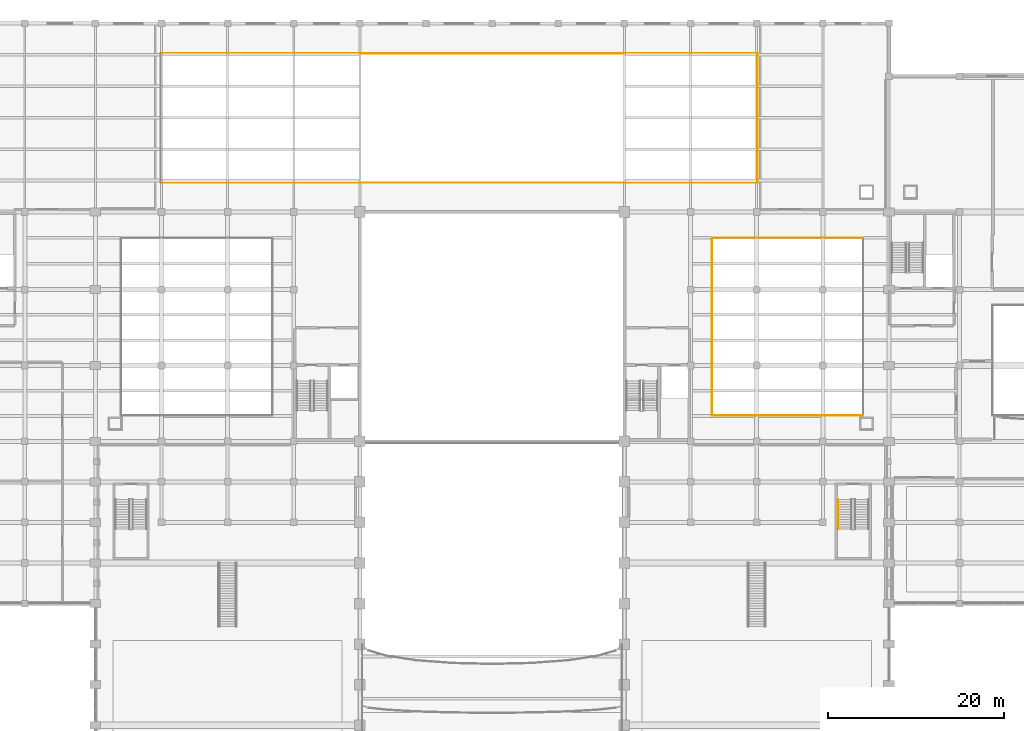
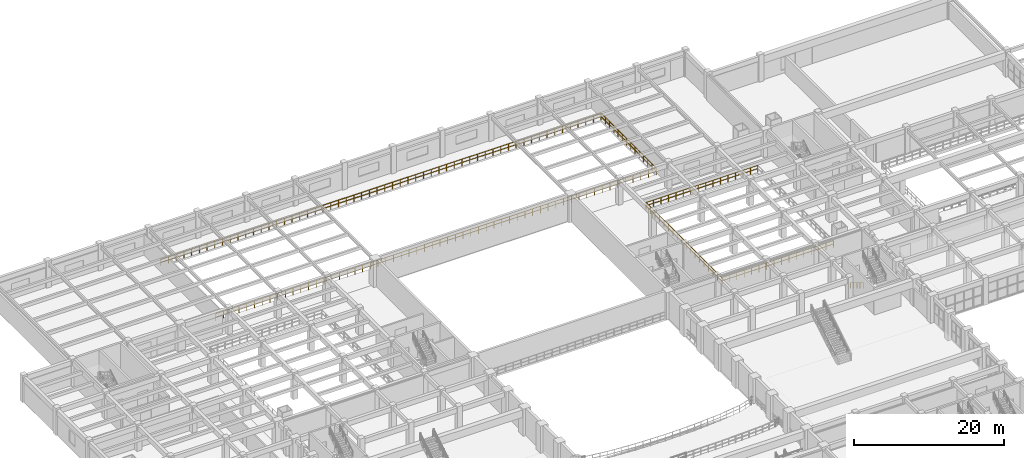
# One storey, part 113 of 116: 7 railings.
"""IFC4 building model written with IfcOpenShell, lengths in metres."""

import ifcopenshell
import ifcopenshell.guid

model = None  # the IFC model being written
_history = None  # IfcOwnerHistory: only IFC2X3 demands one
_inside = {}  # id of a spatial element -> (the spatial element, [elements in it])
_under = {}  # id of a project, library or spatial element -> (it, [spatial elements below it])
_declared = {}  # id of a project -> (the project, [libraries it declares])
_typed = {}  # id of a type object -> (the type object, [elements of that type])
_made_of = {}  # id of a material, layer set ... -> (it, [elements and type objects made of it])


def new_model(schema):
    """Start an empty IFC model of exactly this schema.

    Asked for "IFC4X3", IfcOpenShell would pick the latest addendum, in which some entities
    have other attributes; the version numbers below select the first issue.
    IFC2X3 requires an IfcOwnerHistory on every rooted entity: one is made here for all.
    """
    global model, _history
    if schema == "IFC4X3":
        model = ifcopenshell.file(schema_version=(4, 3, 0, 0))
    else:
        model = ifcopenshell.file(schema=schema)
    _inside.clear()
    _under.clear()
    _declared.clear()
    _typed.clear()
    _made_of.clear()
    _history = None
    if model.schema == "IFC2X3":
        org = make("IfcOrganization", Name="unknown")
        user = make(
            "IfcPersonAndOrganization",
            ThePerson=make("IfcPerson", FamilyName="unknown"),
            TheOrganization=org,
        )
        app = make(
            "IfcApplication",
            ApplicationDeveloper=org,
            Version="unknown",
            ApplicationFullName="unknown",
            ApplicationIdentifier="unknown",
        )
        _history = make(
            "IfcOwnerHistory",
            OwningUser=user,
            OwningApplication=app,
            ChangeAction="ADDED",
            CreationDate=0,
        )
    return model


def make(cls, **values):
    """One entity of the class cls with the attributes given. An attribute that is None is left unset."""
    return model.create_entity(
        cls, **{name: value for name, value in values.items() if value is not None}
    )


def rooted(cls, **values):
    """An entity with a GlobalId (a new one), such as an element, a storey or a relation."""
    return make(cls, GlobalId=ifcopenshell.guid.new(), OwnerHistory=_history, **values)


def si_unit(unit_type, name, prefix=None):
    """IfcSIUnit, for example si_unit("LENGTHUNIT", "METRE", prefix="MILLI")."""
    return make("IfcSIUnit", UnitType=unit_type, Prefix=prefix, Name=name)


def assignment(units):
    """IfcUnitAssignment: the units of a project."""
    return None if units is None else make("IfcUnitAssignment", Units=units)


def point(xyz):
    """IfcCartesianPoint."""
    return None if xyz is None else make("IfcCartesianPoint", Coordinates=xyz)


def direction(xyz):
    """IfcDirection."""
    return None if xyz is None else make("IfcDirection", DirectionRatios=xyz)


def frame(location, z_axis=None, x_axis=None):
    """IfcAxis2Placement3D, a coordinate frame: its origin and axes. An axis left out is left unset."""
    return make(
        "IfcAxis2Placement3D",
        Location=point(location),
        Axis=direction(z_axis),
        RefDirection=direction(x_axis),
    )


def frame_2d(location, x_axis=None):
    """IfcAxis2Placement2D, a coordinate frame in the plane: its origin and x axis."""
    return make(
        "IfcAxis2Placement2D", Location=point(location), RefDirection=direction(x_axis)
    )


def origin():
    """The frame at (0, 0, 0) with its axes left unset."""
    return frame((0.0, 0.0, 0.0))


def origin_2d():
    """The frame at (0, 0) in the plane with its x axis left unset."""
    return frame_2d((0.0, 0.0))


def place(relative_to, where):
    """IfcLocalPlacement: puts the frame where relative to a parent placement (None: the world)."""
    return make(
        "IfcLocalPlacement", PlacementRelTo=relative_to, RelativePlacement=where
    )


def context(
    kind, dimensions, precision=None, world=None, true_north=None, identifier=None
):
    """IfcGeometricRepresentationContext, for example the 3D "Model" context."""
    return make(
        "IfcGeometricRepresentationContext",
        ContextIdentifier=identifier,
        ContextType=kind,
        CoordinateSpaceDimension=dimensions,
        Precision=precision,
        WorldCoordinateSystem=world,
        TrueNorth=true_north,
    )


def subcontext(parent, identifier, kind, view, scale=None):
    """IfcGeometricRepresentationSubContext, for example "Body" below "Model"."""
    return make(
        "IfcGeometricRepresentationSubContext",
        ContextIdentifier=identifier,
        ContextType=kind,
        ParentContext=parent,
        TargetScale=scale,
        TargetView=view,
    )


def project(units=None, contexts=None):
    """IfcProject with its units and contexts."""
    return rooted(
        "IfcProject",
        Name="project",
        RepresentationContexts=contexts,
        UnitsInContext=assignment(units),
    )


def spatial(cls, under=None, at=None, **own):
    """A site, building, storey or space (cls), placed at a placement, below another one or the project."""
    s = rooted(cls, ObjectPlacement=at, **own)
    if under is not None:
        _under.setdefault(under.id(), (under, []))[1].append(s)
    return s


def profile(cls, at=None, kind="AREA", **sizes):
    """A parametric profile (cls). Its sizes go by their IFC names, for example OverallWidth=200.0."""
    return make(cls, ProfileType=kind, Position=at, **sizes)


def circle(**sizes):
    """IfcCircleProfileDef."""
    return profile("IfcCircleProfileDef", **sizes)


def extrude(swept, where, along, depth):
    """IfcExtrudedAreaSolid: the profile swept, set in the frame where, extruded along a direction by depth."""
    return make(
        "IfcExtrudedAreaSolid",
        SweptArea=swept,
        Position=where,
        ExtrudedDirection=direction(along),
        Depth=depth,
    )


def shape(context_of_items, identifier, shape_type, items):
    """IfcShapeRepresentation: the items that make up one representation, for example the "Body"."""
    return make(
        "IfcShapeRepresentation",
        ContextOfItems=context_of_items,
        RepresentationIdentifier=identifier,
        RepresentationType=shape_type,
        Items=items,
    )


def material(Name=None, Category=None):
    """IfcMaterial."""
    return make("IfcMaterial", Name=Name, Category=Category)


def made_of(thing, what):
    """Note that an element or type object is made of a material, layer set ...; save() writes the relation."""
    if what is not None:
        _made_of.setdefault(what.id(), (what, []))[1].append(thing)
    return thing


def type_object(cls, material=None, **own):
    """A type object (cls), such as IfcWallType, which elements share."""
    return made_of(rooted(cls, **own), material)


def element(
    cls,
    number,
    at=None,
    inside=None,
    cuts=None,
    type_object=None,
    material=None,
    context=None,
    identifier="Body",
    shape_type=None,
    held_by="IfcProductDefinitionShape",
    body=None,
    shapes=None,
    **own,
):
    """One element of the class cls, such as IfcWall. Its Tag is "e" and its number.

    at: its placement. inside: the storey or other place that contains it. cuts: it is an
    opening in that element (IfcRelVoidsElement). A single representation is given by context,
    identifier, shape_type and body (its items); several are given by shapes. held_by: the class
    of the entity that holds the representations. save() writes the other relations.
    """
    e = rooted(cls, Tag="e%d" % number, ObjectPlacement=at, **own)
    if body is not None:
        shapes = [shape(context, identifier, shape_type, body)]
    if shapes is not None:
        e.Representation = make(held_by, Representations=shapes)
    if inside is not None:
        _inside.setdefault(inside.id(), (inside, []))[1].append(e)
    if cuts is not None:
        rooted(
            "IfcRelVoidsElement", RelatingBuildingElement=cuts, RelatedOpeningElement=e
        )
    if type_object is not None:
        _typed.setdefault(type_object.id(), (type_object, []))[1].append(e)
    return made_of(e, material)


def aggregate(whole, parts):
    """IfcRelAggregates: a whole, such as a stair, and the parts it consists of."""
    return rooted("IfcRelAggregates", RelatingObject=whole, RelatedObjects=parts)


def save(model, path):
    """Write the relations noted so far, then the file.

    IfcRelAggregates (storeys below a building ...), IfcRelContainedInSpatialStructure (elements
    in a storey), IfcRelDefinesByType, IfcRelAssociatesMaterial and IfcRelDeclares: one each for
    every whole, place, type object, material and project.
    """
    for whole, parts in _under.values():
        aggregate(whole, parts)
    for where, things in _inside.values():
        rooted(
            "IfcRelContainedInSpatialStructure",
            RelatedElements=things,
            RelatingStructure=where,
        )
    for kind, things in _typed.values():
        rooted("IfcRelDefinesByType", RelatedObjects=things, RelatingType=kind)
    for what, things in _made_of.values():
        rooted("IfcRelAssociatesMaterial", RelatedObjects=things, RelatingMaterial=what)
    for by, libraries in _declared.values():
        rooted("IfcRelDeclares", RelatingContext=by, RelatedDefinitions=libraries)
    model.write(path)


model = new_model("IFC4")

# Units and contexts
model_context = context("Model", 3, precision=1e-05, world=origin(), true_north=direction((0.0, 1.0)))
body_context = subcontext(model_context, "Body", "Model", "MODEL_VIEW")
ifc_project = project(units=[si_unit("LENGTHUNIT", "METRE"), si_unit("AREAUNIT", "SQUARE_METRE"), si_unit("VOLUMEUNIT", "CUBIC_METRE"), si_unit("PLANEANGLEUNIT", "RADIAN"), si_unit("MASSUNIT", "GRAM", prefix="KILO")], contexts=[model_context])

# Site, building, storey
site_placement = place(None, origin())
site = spatial("IfcSite", under=ifc_project, at=site_placement, CompositionType="ELEMENT")
building_placement = place(site_placement, origin())
building = spatial("IfcBuilding", under=site, at=building_placement, Name="Muzn Square Opera House", CompositionType="ELEMENT")
storey_placement = place(building_placement, frame((0.0, 0.0, 5.39990234375)))
storey = spatial("IfcBuildingStorey", under=building, at=storey_placement, Name="L01", CompositionType="ELEMENT", Elevation=5.39990234375)

# Railings
ifc_material_1 = material(Name="Architectural bronze mashrabiya", Category="metal")
railing_type_1 = type_object("IfcRailingType", Name="Bronze Protective Balustrade 1120mm", PredefinedType="BALUSTRADE", material=ifc_material_1)
railing_1_placement = place(storey_placement, frame((112.919921875, 75.52001953125, 0.0)))
element("IfcRailing", 1, at=railing_1_placement, inside=storey, type_object=railing_type_1, Name="Void Edge Balustrade L01-0017", PredefinedType="BALUSTRADE", context=body_context, shape_type="SweptSolid", body=[
    extrude(circle(Radius=0.02392578125, at=origin_2d()), frame((0.0, 0.0, 1.09619140625), z_axis=(1.0, 0.0, 0.0), x_axis=(0.0, 1.0, 0.0)), (0.0, 0.0, 1.0), 17.16015625),
    extrude(circle(Radius=0.02392578125, at=origin_2d()), frame((0.0, 0.0, 0.56005859375), z_axis=(1.0, 0.0, 0.0), x_axis=(0.0, 1.0, 0.0)), (0.0, 0.0, 1.0), 17.16015625),
    extrude(circle(Radius=0.02099609375, at=origin_2d()), origin(), (0.0, 0.0, 1.0), 1.072021484375),
    extrude(circle(Radius=0.02099609375, at=origin_2d()), frame((1.14404296875, 0.0, 0.0)), (0.0, 0.0, 1.0), 1.072021484375),
    extrude(circle(Radius=0.02099609375, at=origin_2d()), frame((2.2880859375, 0.0, 0.0)), (0.0, 0.0, 1.0), 1.072021484375),
    extrude(circle(Radius=0.02099609375, at=origin_2d()), frame((3.43212890625, 0.0, 0.0)), (0.0, 0.0, 1.0), 1.072021484375),
    extrude(circle(Radius=0.02099609375, at=origin_2d()), frame((4.575927734375, 0.0, 0.0)), (0.0, 0.0, 1.0), 1.072021484375),
    extrude(circle(Radius=0.02099609375, at=origin_2d()), frame((5.719970703125, 0.0, 0.0)), (0.0, 0.0, 1.0), 1.072021484375),
    extrude(circle(Radius=0.02099609375, at=origin_2d()), frame((6.864013671875, 0.0, 0.0)), (0.0, 0.0, 1.0), 1.072021484375),
    extrude(circle(Radius=0.02099609375, at=origin_2d()), frame((8.008056640625, 0.0, 0.0)), (0.0, 0.0, 1.0), 1.072021484375),
    extrude(circle(Radius=0.02099609375, at=origin_2d()), frame((9.152099609375, 0.0, 0.0)), (0.0, 0.0, 1.0), 1.072021484375),
    extrude(circle(Radius=0.02099609375, at=origin_2d()), frame((10.296142578125, 0.0, 0.0)), (0.0, 0.0, 1.0), 1.072021484375),
    extrude(circle(Radius=0.02099609375, at=origin_2d()), frame((11.440185546875, 0.0, 0.0)), (0.0, 0.0, 1.0), 1.072021484375),
    extrude(circle(Radius=0.02099609375, at=origin_2d()), frame((12.584228515625, 0.0, 0.0)), (0.0, 0.0, 1.0), 1.072021484375),
    extrude(circle(Radius=0.02099609375, at=origin_2d()), frame((13.72802734375, 0.0, 0.0)), (0.0, 0.0, 1.0), 1.072021484375),
    extrude(circle(Radius=0.02099609375, at=origin_2d()), frame((14.8720703125, 0.0, 0.0)), (0.0, 0.0, 1.0), 1.072021484375),
    extrude(circle(Radius=0.02099609375, at=origin_2d()), frame((16.01611328125, 0.0, 0.0)), (0.0, 0.0, 1.0), 1.072021484375),
    extrude(circle(Radius=0.02099609375, at=origin_2d()), frame((17.16015625, 0.0, 0.0)), (0.0, 0.0, 1.0), 1.072021484375),
])
railing_2_placement = place(storey_placement, frame((130.080078125, 95.679931640625, 0.0)))
element("IfcRailing", 2, at=railing_2_placement, inside=storey, type_object=railing_type_1, Name="Void Edge Balustrade L01-0019", PredefinedType="BALUSTRADE", context=body_context, shape_type="SweptSolid", body=[
    extrude(circle(Radius=0.02392578125, at=origin_2d()), frame((0.0, 0.0, 1.09619140625), z_axis=(-1.0, 0.0, 0.0), x_axis=(0.0, -1.0, 0.0)), (0.0, 0.0, 1.0), 17.16015625),
    extrude(circle(Radius=0.02392578125, at=origin_2d()), frame((0.0, 0.0, 0.56005859375), z_axis=(-1.0, 0.0, 0.0), x_axis=(0.0, -1.0, 0.0)), (0.0, 0.0, 1.0), 17.16015625),
    extrude(circle(Radius=0.02099609375, at=origin_2d()), origin(), (0.0, 0.0, 1.0), 1.072021484375),
    extrude(circle(Radius=0.02099609375, at=origin_2d()), frame((-1.14404296875, 0.0, 0.0)), (0.0, 0.0, 1.0), 1.072021484375),
    extrude(circle(Radius=0.02099609375, at=origin_2d()), frame((-2.2880859375, 0.0, 0.0)), (0.0, 0.0, 1.0), 1.072021484375),
    extrude(circle(Radius=0.02099609375, at=origin_2d()), frame((-3.43212890625, 0.0, 0.0)), (0.0, 0.0, 1.0), 1.072021484375),
    extrude(circle(Radius=0.02099609375, at=origin_2d()), frame((-4.575927734375, 0.0, 0.0)), (0.0, 0.0, 1.0), 1.072021484375),
    extrude(circle(Radius=0.02099609375, at=origin_2d()), frame((-5.719970703125, 0.0, 0.0)), (0.0, 0.0, 1.0), 1.072021484375),
    extrude(circle(Radius=0.02099609375, at=origin_2d()), frame((-6.864013671875, 0.0, 0.0)), (0.0, 0.0, 1.0), 1.072021484375),
    extrude(circle(Radius=0.02099609375, at=origin_2d()), frame((-8.008056640625, 0.0, 0.0)), (0.0, 0.0, 1.0), 1.072021484375),
    extrude(circle(Radius=0.02099609375, at=origin_2d()), frame((-9.152099609375, 0.0, 0.0)), (0.0, 0.0, 1.0), 1.072021484375),
    extrude(circle(Radius=0.02099609375, at=origin_2d()), frame((-10.296142578125, 0.0, 0.0)), (0.0, 0.0, 1.0), 1.072021484375),
    extrude(circle(Radius=0.02099609375, at=origin_2d()), frame((-11.440185546875, 0.0, 0.0)), (0.0, 0.0, 1.0), 1.072021484375),
    extrude(circle(Radius=0.02099609375, at=origin_2d()), frame((-12.584228515625, 0.0, 0.0)), (0.0, 0.0, 1.0), 1.072021484375),
    extrude(circle(Radius=0.02099609375, at=origin_2d()), frame((-13.72802734375, 0.0, 0.0)), (0.0, 0.0, 1.0), 1.072021484375),
    extrude(circle(Radius=0.02099609375, at=origin_2d()), frame((-14.8720703125, 0.0, 0.0)), (0.0, 0.0, 1.0), 1.072021484375),
    extrude(circle(Radius=0.02099609375, at=origin_2d()), frame((-16.01611328125, 0.0, 0.0)), (0.0, 0.0, 1.0), 1.072021484375),
    extrude(circle(Radius=0.02099609375, at=origin_2d()), frame((-17.16015625, 0.0, 0.0)), (0.0, 0.0, 1.0), 1.072021484375),
])
railing_3_placement = place(storey_placement, frame((112.919921875, 95.679931640625, 0.0)))
element("IfcRailing", 3, at=railing_3_placement, inside=storey, type_object=railing_type_1, Name="Void Edge Balustrade L01-0020", PredefinedType="BALUSTRADE", context=body_context, shape_type="SweptSolid", body=[
    extrude(circle(Radius=0.02392578125, at=origin_2d()), frame((0.0, 0.0, 1.09619140625), z_axis=(0.0, -1.0, 0.0), x_axis=(1.0, 0.0, 0.0)), (0.0, 0.0, 1.0), 20.159912109375),
    extrude(circle(Radius=0.02392578125, at=origin_2d()), frame((0.0, 0.0, 0.56005859375), z_axis=(0.0, -1.0, 0.0), x_axis=(1.0, 0.0, 0.0)), (0.0, 0.0, 1.0), 20.159912109375),
    extrude(circle(Radius=0.02099609375, at=origin_2d()), origin(), (0.0, 0.0, 1.0), 1.072021484375),
    extrude(circle(Radius=0.02099609375, at=origin_2d()), frame((0.0, -1.185791015625, 0.0)), (0.0, 0.0, 1.0), 1.072021484375),
    extrude(circle(Radius=0.02099609375, at=origin_2d()), frame((0.0, -2.371826171875, 0.0)), (0.0, 0.0, 1.0), 1.072021484375),
    extrude(circle(Radius=0.02099609375, at=origin_2d()), frame((0.0, -3.5576171875, 0.0)), (0.0, 0.0, 1.0), 1.072021484375),
    extrude(circle(Radius=0.02099609375, at=origin_2d()), frame((0.0, -4.743408203125, 0.0)), (0.0, 0.0, 1.0), 1.072021484375),
    extrude(circle(Radius=0.02099609375, at=origin_2d()), frame((0.0, -5.929443359375, 0.0)), (0.0, 0.0, 1.0), 1.072021484375),
    extrude(circle(Radius=0.02099609375, at=origin_2d()), frame((0.0, -7.115234375, 0.0)), (0.0, 0.0, 1.0), 1.072021484375),
    extrude(circle(Radius=0.02099609375, at=origin_2d()), frame((0.0, -8.301025390625, 0.0)), (0.0, 0.0, 1.0), 1.072021484375),
    extrude(circle(Radius=0.02099609375, at=origin_2d()), frame((0.0, -9.487060546875, 0.0)), (0.0, 0.0, 1.0), 1.072021484375),
    extrude(circle(Radius=0.02099609375, at=origin_2d()), frame((0.0, -10.6728515625, 0.0)), (0.0, 0.0, 1.0), 1.072021484375),
    extrude(circle(Radius=0.02099609375, at=origin_2d()), frame((0.0, -11.85888671875, 0.0)), (0.0, 0.0, 1.0), 1.072021484375),
    extrude(circle(Radius=0.02099609375, at=origin_2d()), frame((0.0, -13.044677734375, 0.0)), (0.0, 0.0, 1.0), 1.072021484375),
    extrude(circle(Radius=0.02099609375, at=origin_2d()), frame((0.0, -14.23046875, 0.0)), (0.0, 0.0, 1.0), 1.072021484375),
    extrude(circle(Radius=0.02099609375, at=origin_2d()), frame((0.0, -15.41650390625, 0.0)), (0.0, 0.0, 1.0), 1.072021484375),
    extrude(circle(Radius=0.02099609375, at=origin_2d()), frame((0.0, -16.602294921875, 0.0)), (0.0, 0.0, 1.0), 1.072021484375),
    extrude(circle(Radius=0.02099609375, at=origin_2d()), frame((0.0, -17.7880859375, 0.0)), (0.0, 0.0, 1.0), 1.072021484375),
    extrude(circle(Radius=0.02099609375, at=origin_2d()), frame((0.0, -18.97412109375, 0.0)), (0.0, 0.0, 1.0), 1.072021484375),
    extrude(circle(Radius=0.02099609375, at=origin_2d()), frame((0.0, -20.159912109375, 0.0)), (0.0, 0.0, 1.0), 1.072021484375),
])
railing_4_placement = place(storey_placement, frame((50.419921875, 101.919921875, 0.0)))
element("IfcRailing", 4, at=railing_4_placement, inside=storey, type_object=railing_type_1, Name="Void Edge Balustrade L01-0021", PredefinedType="BALUSTRADE", context=body_context, shape_type="SweptSolid", body=[
    extrude(circle(Radius=0.02392578125, at=origin_2d()), frame((0.0, 0.0, 1.09619140625), z_axis=(1.0, 0.0, 0.0), x_axis=(0.0, 1.0, 0.0)), (0.0, 0.0, 1.0), 67.66015625),
    extrude(circle(Radius=0.02392578125, at=origin_2d()), frame((0.0, 0.0, 0.56005859375), z_axis=(1.0, 0.0, 0.0), x_axis=(0.0, 1.0, 0.0)), (0.0, 0.0, 1.0), 67.66015625),
    extrude(circle(Radius=0.02099609375, at=origin_2d()), origin(), (0.0, 0.0, 1.0), 1.072021484375),
    extrude(circle(Radius=0.02099609375, at=origin_2d()), frame((1.18701171875, 0.0, 0.0)), (0.0, 0.0, 1.0), 1.072021484375),
    extrude(circle(Radius=0.02099609375, at=origin_2d()), frame((2.3740234375, 0.0, 0.0)), (0.0, 0.0, 1.0), 1.072021484375),
    extrude(circle(Radius=0.02099609375, at=origin_2d()), frame((3.56103515625, 0.0, 0.0)), (0.0, 0.0, 1.0), 1.072021484375),
    extrude(circle(Radius=0.02099609375, at=origin_2d()), frame((4.748046875, 0.0, 0.0)), (0.0, 0.0, 1.0), 1.072021484375),
    extrude(circle(Radius=0.02099609375, at=origin_2d()), frame((5.93505859375, 0.0, 0.0)), (0.0, 0.0, 1.0), 1.072021484375),
    extrude(circle(Radius=0.02099609375, at=origin_2d()), frame((7.1220703125, 0.0, 0.0)), (0.0, 0.0, 1.0), 1.072021484375),
    extrude(circle(Radius=0.02099609375, at=origin_2d()), frame((8.30908203125, 0.0, 0.0)), (0.0, 0.0, 1.0), 1.072021484375),
    extrude(circle(Radius=0.02099609375, at=origin_2d()), frame((9.49609375, 0.0, 0.0)), (0.0, 0.0, 1.0), 1.072021484375),
    extrude(circle(Radius=0.02099609375, at=origin_2d()), frame((10.68310546875, 0.0, 0.0)), (0.0, 0.0, 1.0), 1.072021484375),
    extrude(circle(Radius=0.02099609375, at=origin_2d()), frame((11.8701171875, 0.0, 0.0)), (0.0, 0.0, 1.0), 1.072021484375),
    extrude(circle(Radius=0.02099609375, at=origin_2d()), frame((13.05712890625, 0.0, 0.0)), (0.0, 0.0, 1.0), 1.072021484375),
    extrude(circle(Radius=0.02099609375, at=origin_2d()), frame((14.244140625, 0.0, 0.0)), (0.0, 0.0, 1.0), 1.072021484375),
    extrude(circle(Radius=0.02099609375, at=origin_2d()), frame((15.43115234375, 0.0, 0.0)), (0.0, 0.0, 1.0), 1.072021484375),
    extrude(circle(Radius=0.02099609375, at=origin_2d()), frame((16.6181640625, 0.0, 0.0)), (0.0, 0.0, 1.0), 1.072021484375),
    extrude(circle(Radius=0.02099609375, at=origin_2d()), frame((17.805419921875, 0.0, 0.0)), (0.0, 0.0, 1.0), 1.072021484375),
    extrude(circle(Radius=0.02099609375, at=origin_2d()), frame((18.992431640625, 0.0, 0.0)), (0.0, 0.0, 1.0), 1.072021484375),
    extrude(circle(Radius=0.02099609375, at=origin_2d()), frame((20.179443359375, 0.0, 0.0)), (0.0, 0.0, 1.0), 1.072021484375),
    extrude(circle(Radius=0.02099609375, at=origin_2d()), frame((21.366455078125, 0.0, 0.0)), (0.0, 0.0, 1.0), 1.072021484375),
    extrude(circle(Radius=0.02099609375, at=origin_2d()), frame((22.553466796875, 0.0, 0.0)), (0.0, 0.0, 1.0), 1.072021484375),
    extrude(circle(Radius=0.02099609375, at=origin_2d()), frame((23.740478515625, 0.0, 0.0)), (0.0, 0.0, 1.0), 1.072021484375),
    extrude(circle(Radius=0.02099609375, at=origin_2d()), frame((24.927490234375, 0.0, 0.0)), (0.0, 0.0, 1.0), 1.072021484375),
    extrude(circle(Radius=0.02099609375, at=origin_2d()), frame((26.114501953125, 0.0, 0.0)), (0.0, 0.0, 1.0), 1.072021484375),
    extrude(circle(Radius=0.02099609375, at=origin_2d()), frame((27.301513671875, 0.0, 0.0)), (0.0, 0.0, 1.0), 1.072021484375),
    extrude(circle(Radius=0.02099609375, at=origin_2d()), frame((28.488525390625, 0.0, 0.0)), (0.0, 0.0, 1.0), 1.072021484375),
    extrude(circle(Radius=0.02099609375, at=origin_2d()), frame((29.675537109375, 0.0, 0.0)), (0.0, 0.0, 1.0), 1.072021484375),
    extrude(circle(Radius=0.02099609375, at=origin_2d()), frame((30.862548828125, 0.0, 0.0)), (0.0, 0.0, 1.0), 1.072021484375),
    extrude(circle(Radius=0.02099609375, at=origin_2d()), frame((32.049560546875, 0.0, 0.0)), (0.0, 0.0, 1.0), 1.072021484375),
    extrude(circle(Radius=0.02099609375, at=origin_2d()), frame((33.236572265625, 0.0, 0.0)), (0.0, 0.0, 1.0), 1.072021484375),
    extrude(circle(Radius=0.02099609375, at=origin_2d()), frame((34.423583984375, 0.0, 0.0)), (0.0, 0.0, 1.0), 1.072021484375),
    extrude(circle(Radius=0.02099609375, at=origin_2d()), frame((35.610595703125, 0.0, 0.0)), (0.0, 0.0, 1.0), 1.072021484375),
    extrude(circle(Radius=0.02099609375, at=origin_2d()), frame((36.797607421875, 0.0, 0.0)), (0.0, 0.0, 1.0), 1.072021484375),
    extrude(circle(Radius=0.02099609375, at=origin_2d()), frame((37.984619140625, 0.0, 0.0)), (0.0, 0.0, 1.0), 1.072021484375),
    extrude(circle(Radius=0.02099609375, at=origin_2d()), frame((39.171630859375, 0.0, 0.0)), (0.0, 0.0, 1.0), 1.072021484375),
    extrude(circle(Radius=0.02099609375, at=origin_2d()), frame((40.358642578125, 0.0, 0.0)), (0.0, 0.0, 1.0), 1.072021484375),
    extrude(circle(Radius=0.02099609375, at=origin_2d()), frame((41.545654296875, 0.0, 0.0)), (0.0, 0.0, 1.0), 1.072021484375),
    extrude(circle(Radius=0.02099609375, at=origin_2d()), frame((42.732666015625, 0.0, 0.0)), (0.0, 0.0, 1.0), 1.072021484375),
    extrude(circle(Radius=0.02099609375, at=origin_2d()), frame((43.919677734375, 0.0, 0.0)), (0.0, 0.0, 1.0), 1.072021484375),
    extrude(circle(Radius=0.02099609375, at=origin_2d()), frame((45.106689453125, 0.0, 0.0)), (0.0, 0.0, 1.0), 1.072021484375),
    extrude(circle(Radius=0.02099609375, at=origin_2d()), frame((46.293701171875, 0.0, 0.0)), (0.0, 0.0, 1.0), 1.072021484375),
    extrude(circle(Radius=0.02099609375, at=origin_2d()), frame((47.480712890625, 0.0, 0.0)), (0.0, 0.0, 1.0), 1.072021484375),
    extrude(circle(Radius=0.02099609375, at=origin_2d()), frame((48.667724609375, 0.0, 0.0)), (0.0, 0.0, 1.0), 1.072021484375),
    extrude(circle(Radius=0.02099609375, at=origin_2d()), frame((49.854736328125, 0.0, 0.0)), (0.0, 0.0, 1.0), 1.072021484375),
    extrude(circle(Radius=0.02099609375, at=origin_2d()), frame((51.0419921875, 0.0, 0.0)), (0.0, 0.0, 1.0), 1.072021484375),
    extrude(circle(Radius=0.02099609375, at=origin_2d()), frame((52.22900390625, 0.0, 0.0)), (0.0, 0.0, 1.0), 1.072021484375),
    extrude(circle(Radius=0.02099609375, at=origin_2d()), frame((53.416015625, 0.0, 0.0)), (0.0, 0.0, 1.0), 1.072021484375),
    extrude(circle(Radius=0.02099609375, at=origin_2d()), frame((54.60302734375, 0.0, 0.0)), (0.0, 0.0, 1.0), 1.072021484375),
    extrude(circle(Radius=0.02099609375, at=origin_2d()), frame((55.7900390625, 0.0, 0.0)), (0.0, 0.0, 1.0), 1.072021484375),
    extrude(circle(Radius=0.02099609375, at=origin_2d()), frame((56.97705078125, 0.0, 0.0)), (0.0, 0.0, 1.0), 1.072021484375),
    extrude(circle(Radius=0.02099609375, at=origin_2d()), frame((58.1640625, 0.0, 0.0)), (0.0, 0.0, 1.0), 1.072021484375),
    extrude(circle(Radius=0.02099609375, at=origin_2d()), frame((59.35107421875, 0.0, 0.0)), (0.0, 0.0, 1.0), 1.072021484375),
    extrude(circle(Radius=0.02099609375, at=origin_2d()), frame((60.5380859375, 0.0, 0.0)), (0.0, 0.0, 1.0), 1.072021484375),
    extrude(circle(Radius=0.02099609375, at=origin_2d()), frame((61.72509765625, 0.0, 0.0)), (0.0, 0.0, 1.0), 1.072021484375),
    extrude(circle(Radius=0.02099609375, at=origin_2d()), frame((62.912109375, 0.0, 0.0)), (0.0, 0.0, 1.0), 1.072021484375),
    extrude(circle(Radius=0.02099609375, at=origin_2d()), frame((64.09912109375, 0.0, 0.0)), (0.0, 0.0, 1.0), 1.072021484375),
    extrude(circle(Radius=0.02099609375, at=origin_2d()), frame((65.2861328125, 0.0, 0.0)), (0.0, 0.0, 1.0), 1.072021484375),
    extrude(circle(Radius=0.02099609375, at=origin_2d()), frame((66.47314453125, 0.0, 0.0)), (0.0, 0.0, 1.0), 1.072021484375),
    extrude(circle(Radius=0.02099609375, at=origin_2d()), frame((67.66015625, 0.0, 0.0)), (0.0, 0.0, 1.0), 1.072021484375),
])
railing_5_placement = place(storey_placement, frame((118.080078125, 101.919921875, 0.0)))
element("IfcRailing", 5, at=railing_5_placement, inside=storey, type_object=railing_type_1, Name="Void Edge Balustrade L01-0022", PredefinedType="BALUSTRADE", context=body_context, shape_type="SweptSolid", body=[
    extrude(circle(Radius=0.02392578125, at=origin_2d()), frame((0.0, 0.0, 1.09619140625), z_axis=(0.0, 1.0, 0.0), x_axis=(-1.0, 0.0, 0.0)), (0.0, 0.0, 1.0), 14.66015625),
    extrude(circle(Radius=0.02392578125, at=origin_2d()), frame((0.0, 0.0, 0.56005859375), z_axis=(0.0, 1.0, 0.0), x_axis=(-1.0, 0.0, 0.0)), (0.0, 0.0, 1.0), 14.66015625),
    extrude(circle(Radius=0.02099609375, at=origin_2d()), origin(), (0.0, 0.0, 1.0), 1.072021484375),
    extrude(circle(Radius=0.02099609375, at=origin_2d()), frame((0.0, 1.127685546875, 0.0)), (0.0, 0.0, 1.0), 1.072021484375),
    extrude(circle(Radius=0.02099609375, at=origin_2d()), frame((0.0, 2.25537109375, 0.0)), (0.0, 0.0, 1.0), 1.072021484375),
    extrude(circle(Radius=0.02099609375, at=origin_2d()), frame((0.0, 3.383056640625, 0.0)), (0.0, 0.0, 1.0), 1.072021484375),
    extrude(circle(Radius=0.02099609375, at=origin_2d()), frame((0.0, 4.5107421875, 0.0)), (0.0, 0.0, 1.0), 1.072021484375),
    extrude(circle(Radius=0.02099609375, at=origin_2d()), frame((0.0, 5.638427734375, 0.0)), (0.0, 0.0, 1.0), 1.072021484375),
    extrude(circle(Radius=0.02099609375, at=origin_2d()), frame((0.0, 6.76611328125, 0.0)), (0.0, 0.0, 1.0), 1.072021484375),
    extrude(circle(Radius=0.02099609375, at=origin_2d()), frame((0.0, 7.89404296875, 0.0)), (0.0, 0.0, 1.0), 1.072021484375),
    extrude(circle(Radius=0.02099609375, at=origin_2d()), frame((0.0, 9.021728515625, 0.0)), (0.0, 0.0, 1.0), 1.072021484375),
    extrude(circle(Radius=0.02099609375, at=origin_2d()), frame((0.0, 10.1494140625, 0.0)), (0.0, 0.0, 1.0), 1.072021484375),
    extrude(circle(Radius=0.02099609375, at=origin_2d()), frame((0.0, 11.277099609375, 0.0)), (0.0, 0.0, 1.0), 1.072021484375),
    extrude(circle(Radius=0.02099609375, at=origin_2d()), frame((0.0, 12.40478515625, 0.0)), (0.0, 0.0, 1.0), 1.072021484375),
    extrude(circle(Radius=0.02099609375, at=origin_2d()), frame((0.0, 13.532470703125, 0.0)), (0.0, 0.0, 1.0), 1.072021484375),
    extrude(circle(Radius=0.02099609375, at=origin_2d()), frame((0.0, 14.66015625, 0.0)), (0.0, 0.0, 1.0), 1.072021484375),
])
railing_6_placement = place(storey_placement, frame((118.080078125, 116.580078125, 0.0)))
element("IfcRailing", 6, at=railing_6_placement, inside=storey, type_object=railing_type_1, Name="Void Edge Balustrade L01-0023", PredefinedType="BALUSTRADE", context=body_context, shape_type="SweptSolid", body=[
    extrude(circle(Radius=0.02392578125, at=origin_2d()), frame((0.0, 0.0, 1.09619140625), z_axis=(-1.0, 0.0, 0.0), x_axis=(0.0, -1.0, 0.0)), (0.0, 0.0, 1.0), 67.66015625),
    extrude(circle(Radius=0.02392578125, at=origin_2d()), frame((0.0, 0.0, 0.56005859375), z_axis=(-1.0, 0.0, 0.0), x_axis=(0.0, -1.0, 0.0)), (0.0, 0.0, 1.0), 67.66015625),
    extrude(circle(Radius=0.02099609375, at=origin_2d()), origin(), (0.0, 0.0, 1.0), 1.072021484375),
    extrude(circle(Radius=0.02099609375, at=origin_2d()), frame((-1.18701171875, 0.0, 0.0)), (0.0, 0.0, 1.0), 1.072021484375),
    extrude(circle(Radius=0.02099609375, at=origin_2d()), frame((-2.3740234375, 0.0, 0.0)), (0.0, 0.0, 1.0), 1.072021484375),
    extrude(circle(Radius=0.02099609375, at=origin_2d()), frame((-3.56103515625, 0.0, 0.0)), (0.0, 0.0, 1.0), 1.072021484375),
    extrude(circle(Radius=0.02099609375, at=origin_2d()), frame((-4.748046875, 0.0, 0.0)), (0.0, 0.0, 1.0), 1.072021484375),
    extrude(circle(Radius=0.02099609375, at=origin_2d()), frame((-5.93505859375, 0.0, 0.0)), (0.0, 0.0, 1.0), 1.072021484375),
    extrude(circle(Radius=0.02099609375, at=origin_2d()), frame((-7.1220703125, 0.0, 0.0)), (0.0, 0.0, 1.0), 1.072021484375),
    extrude(circle(Radius=0.02099609375, at=origin_2d()), frame((-8.30908203125, 0.0, 0.0)), (0.0, 0.0, 1.0), 1.072021484375),
    extrude(circle(Radius=0.02099609375, at=origin_2d()), frame((-9.49609375, 0.0, 0.0)), (0.0, 0.0, 1.0), 1.072021484375),
    extrude(circle(Radius=0.02099609375, at=origin_2d()), frame((-10.68310546875, 0.0, 0.0)), (0.0, 0.0, 1.0), 1.072021484375),
    extrude(circle(Radius=0.02099609375, at=origin_2d()), frame((-11.8701171875, 0.0, 0.0)), (0.0, 0.0, 1.0), 1.072021484375),
    extrude(circle(Radius=0.02099609375, at=origin_2d()), frame((-13.05712890625, 0.0, 0.0)), (0.0, 0.0, 1.0), 1.072021484375),
    extrude(circle(Radius=0.02099609375, at=origin_2d()), frame((-14.244140625, 0.0, 0.0)), (0.0, 0.0, 1.0), 1.072021484375),
    extrude(circle(Radius=0.02099609375, at=origin_2d()), frame((-15.43115234375, 0.0, 0.0)), (0.0, 0.0, 1.0), 1.072021484375),
    extrude(circle(Radius=0.02099609375, at=origin_2d()), frame((-16.6181640625, 0.0, 0.0)), (0.0, 0.0, 1.0), 1.072021484375),
    extrude(circle(Radius=0.02099609375, at=origin_2d()), frame((-17.805419921875, 0.0, 0.0)), (0.0, 0.0, 1.0), 1.072021484375),
    extrude(circle(Radius=0.02099609375, at=origin_2d()), frame((-18.992431640625, 0.0, 0.0)), (0.0, 0.0, 1.0), 1.072021484375),
    extrude(circle(Radius=0.02099609375, at=origin_2d()), frame((-20.179443359375, 0.0, 0.0)), (0.0, 0.0, 1.0), 1.072021484375),
    extrude(circle(Radius=0.02099609375, at=origin_2d()), frame((-21.366455078125, 0.0, 0.0)), (0.0, 0.0, 1.0), 1.072021484375),
    extrude(circle(Radius=0.02099609375, at=origin_2d()), frame((-22.553466796875, 0.0, 0.0)), (0.0, 0.0, 1.0), 1.072021484375),
    extrude(circle(Radius=0.02099609375, at=origin_2d()), frame((-23.740478515625, 0.0, 0.0)), (0.0, 0.0, 1.0), 1.072021484375),
    extrude(circle(Radius=0.02099609375, at=origin_2d()), frame((-24.927490234375, 0.0, 0.0)), (0.0, 0.0, 1.0), 1.072021484375),
    extrude(circle(Radius=0.02099609375, at=origin_2d()), frame((-26.114501953125, 0.0, 0.0)), (0.0, 0.0, 1.0), 1.072021484375),
    extrude(circle(Radius=0.02099609375, at=origin_2d()), frame((-27.301513671875, 0.0, 0.0)), (0.0, 0.0, 1.0), 1.072021484375),
    extrude(circle(Radius=0.02099609375, at=origin_2d()), frame((-28.488525390625, 0.0, 0.0)), (0.0, 0.0, 1.0), 1.072021484375),
    extrude(circle(Radius=0.02099609375, at=origin_2d()), frame((-29.675537109375, 0.0, 0.0)), (0.0, 0.0, 1.0), 1.072021484375),
    extrude(circle(Radius=0.02099609375, at=origin_2d()), frame((-30.862548828125, 0.0, 0.0)), (0.0, 0.0, 1.0), 1.072021484375),
    extrude(circle(Radius=0.02099609375, at=origin_2d()), frame((-32.049560546875, 0.0, 0.0)), (0.0, 0.0, 1.0), 1.072021484375),
    extrude(circle(Radius=0.02099609375, at=origin_2d()), frame((-33.236572265625, 0.0, 0.0)), (0.0, 0.0, 1.0), 1.072021484375),
    extrude(circle(Radius=0.02099609375, at=origin_2d()), frame((-34.423583984375, 0.0, 0.0)), (0.0, 0.0, 1.0), 1.072021484375),
    extrude(circle(Radius=0.02099609375, at=origin_2d()), frame((-35.610595703125, 0.0, 0.0)), (0.0, 0.0, 1.0), 1.072021484375),
    extrude(circle(Radius=0.02099609375, at=origin_2d()), frame((-36.797607421875, 0.0, 0.0)), (0.0, 0.0, 1.0), 1.072021484375),
    extrude(circle(Radius=0.02099609375, at=origin_2d()), frame((-37.984619140625, 0.0, 0.0)), (0.0, 0.0, 1.0), 1.072021484375),
    extrude(circle(Radius=0.02099609375, at=origin_2d()), frame((-39.171630859375, 0.0, 0.0)), (0.0, 0.0, 1.0), 1.072021484375),
    extrude(circle(Radius=0.02099609375, at=origin_2d()), frame((-40.358642578125, 0.0, 0.0)), (0.0, 0.0, 1.0), 1.072021484375),
    extrude(circle(Radius=0.02099609375, at=origin_2d()), frame((-41.545654296875, 0.0, 0.0)), (0.0, 0.0, 1.0), 1.072021484375),
    extrude(circle(Radius=0.02099609375, at=origin_2d()), frame((-42.732666015625, 0.0, 0.0)), (0.0, 0.0, 1.0), 1.072021484375),
    extrude(circle(Radius=0.02099609375, at=origin_2d()), frame((-43.919677734375, 0.0, 0.0)), (0.0, 0.0, 1.0), 1.072021484375),
    extrude(circle(Radius=0.02099609375, at=origin_2d()), frame((-45.106689453125, 0.0, 0.0)), (0.0, 0.0, 1.0), 1.072021484375),
    extrude(circle(Radius=0.02099609375, at=origin_2d()), frame((-46.293701171875, 0.0, 0.0)), (0.0, 0.0, 1.0), 1.072021484375),
    extrude(circle(Radius=0.02099609375, at=origin_2d()), frame((-47.480712890625, 0.0, 0.0)), (0.0, 0.0, 1.0), 1.072021484375),
    extrude(circle(Radius=0.02099609375, at=origin_2d()), frame((-48.667724609375, 0.0, 0.0)), (0.0, 0.0, 1.0), 1.072021484375),
    extrude(circle(Radius=0.02099609375, at=origin_2d()), frame((-49.854736328125, 0.0, 0.0)), (0.0, 0.0, 1.0), 1.072021484375),
    extrude(circle(Radius=0.02099609375, at=origin_2d()), frame((-51.0419921875, 0.0, 0.0)), (0.0, 0.0, 1.0), 1.072021484375),
    extrude(circle(Radius=0.02099609375, at=origin_2d()), frame((-52.22900390625, 0.0, 0.0)), (0.0, 0.0, 1.0), 1.072021484375),
    extrude(circle(Radius=0.02099609375, at=origin_2d()), frame((-53.416015625, 0.0, 0.0)), (0.0, 0.0, 1.0), 1.072021484375),
    extrude(circle(Radius=0.02099609375, at=origin_2d()), frame((-54.60302734375, 0.0, 0.0)), (0.0, 0.0, 1.0), 1.072021484375),
    extrude(circle(Radius=0.02099609375, at=origin_2d()), frame((-55.7900390625, 0.0, 0.0)), (0.0, 0.0, 1.0), 1.072021484375),
    extrude(circle(Radius=0.02099609375, at=origin_2d()), frame((-56.97705078125, 0.0, 0.0)), (0.0, 0.0, 1.0), 1.072021484375),
    extrude(circle(Radius=0.02099609375, at=origin_2d()), frame((-58.1640625, 0.0, 0.0)), (0.0, 0.0, 1.0), 1.072021484375),
    extrude(circle(Radius=0.02099609375, at=origin_2d()), frame((-59.35107421875, 0.0, 0.0)), (0.0, 0.0, 1.0), 1.072021484375),
    extrude(circle(Radius=0.02099609375, at=origin_2d()), frame((-60.5380859375, 0.0, 0.0)), (0.0, 0.0, 1.0), 1.072021484375),
    extrude(circle(Radius=0.02099609375, at=origin_2d()), frame((-61.72509765625, 0.0, 0.0)), (0.0, 0.0, 1.0), 1.072021484375),
    extrude(circle(Radius=0.02099609375, at=origin_2d()), frame((-62.912109375, 0.0, 0.0)), (0.0, 0.0, 1.0), 1.072021484375),
    extrude(circle(Radius=0.02099609375, at=origin_2d()), frame((-64.09912109375, 0.0, 0.0)), (0.0, 0.0, 1.0), 1.072021484375),
    extrude(circle(Radius=0.02099609375, at=origin_2d()), frame((-65.2861328125, 0.0, 0.0)), (0.0, 0.0, 1.0), 1.072021484375),
    extrude(circle(Radius=0.02099609375, at=origin_2d()), frame((-66.47314453125, 0.0, 0.0)), (0.0, 0.0, 1.0), 1.072021484375),
    extrude(circle(Radius=0.02099609375, at=origin_2d()), frame((-67.66015625, 0.0, 0.0)), (0.0, 0.0, 1.0), 1.072021484375),
])
ifc_material_2 = material(Name="Brushed stainless steel", Category="metal")
railing_type_2 = type_object("IfcRailingType", Name="Stair Pitch Handrail 900mm", PredefinedType="HANDRAIL", material=ifc_material_2)
railing_7_placement = place(storey_placement, frame((127.199951171875, 65.989990234375, 0.16943359375)))
element("IfcRailing", 7, at=railing_7_placement, inside=storey, type_object=railing_type_2, Name="L01 ST-10 stair handrail 1", PredefinedType="HANDRAIL", context=body_context, shape_type="SweptSolid", body=[
    extrude(circle(Radius=0.02392578125, at=origin_2d()), frame((0.0, 0.0, 0.8759765625), z_axis=(0.0, -0.855836976705, 0.517245656632), x_axis=(1.0, 0.0, 0.0)), (0.0, 0.0, 1.0), 3.926025390625),
    extrude(circle(Radius=0.02099609375, at=origin_2d()), origin(), (0.0, 0.0, 1.0), 0.851806640625),
    extrude(circle(Radius=0.02099609375, at=origin_2d()), frame((0.0, -0.840087890625, 0.5078125)), (0.0, 0.0, 1.0), 0.851806640625),
    extrude(circle(Radius=0.02099609375, at=origin_2d()), frame((0.0, -1.68017578125, 1.015380859375)), (0.0, 0.0, 1.0), 0.851806640625),
    extrude(circle(Radius=0.02099609375, at=origin_2d()), frame((0.0, -2.52001953125, 1.52294921875)), (0.0, 0.0, 1.0), 0.851806640625),
    extrude(circle(Radius=0.02099609375, at=origin_2d()), frame((0.0, -3.360107421875, 2.03076171875)), (0.0, 0.0, 1.0), 0.851806640625),
])

save(model, "model.ifc")
